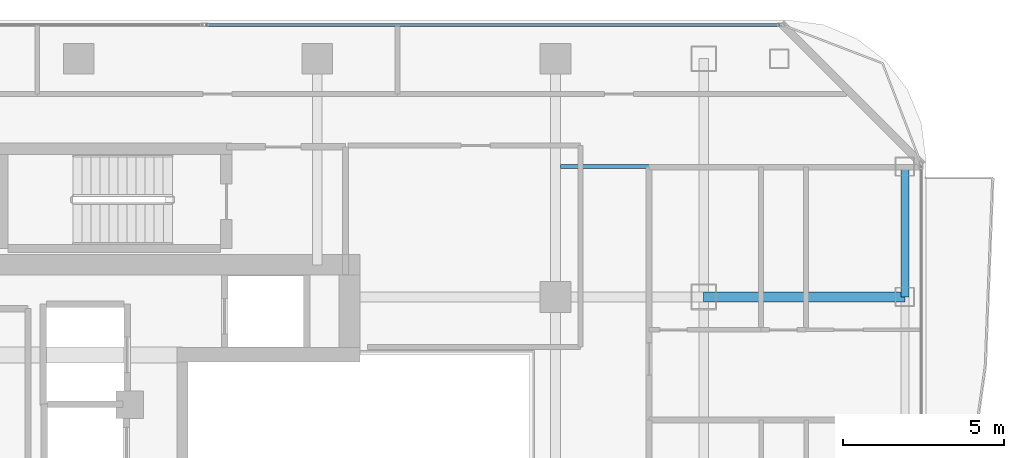
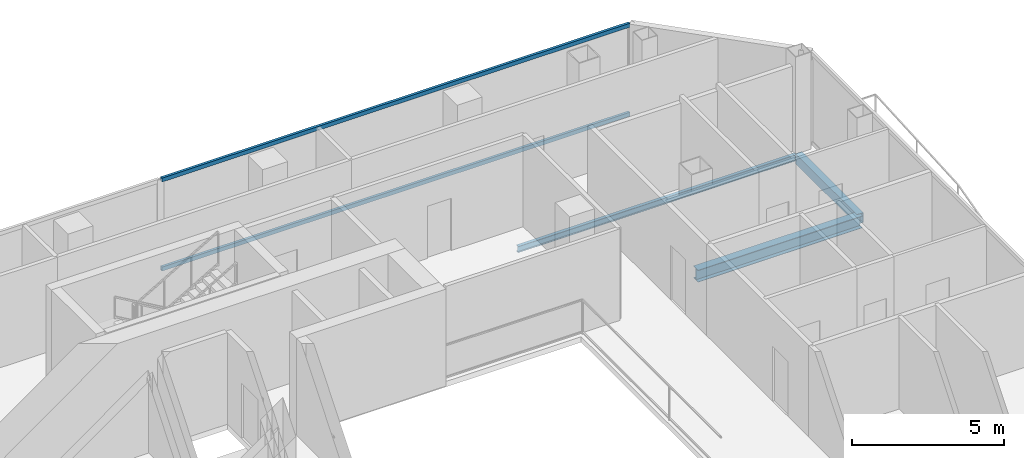
# One storey, part 16 of 27: 3 beams, 2 members, 1 element without a shape of its own.
"""IFC4 building model written with IfcOpenShell, lengths in metres."""

from ifc_helpers import new_model, si_unit, direction, frame, origin, origin_2d, place, context, subcontext, project, spatial, hollow_rectangle, i_section, extrude, material, layer, layer_set, material_profile, profile_set, type_object, element, aggregate, save


model = new_model("IFC4")

# Units and contexts
model_context = context("Model", 3, precision=1e-05, world=origin(), true_north=direction((0.0, 1.0)))
body_context = subcontext(model_context, "Body", "Model", "MODEL_VIEW")
ifc_project = project(units=[si_unit("LENGTHUNIT", "METRE"), si_unit("AREAUNIT", "SQUARE_METRE"), si_unit("VOLUMEUNIT", "CUBIC_METRE"), si_unit("PLANEANGLEUNIT", "RADIAN"), si_unit("MASSUNIT", "GRAM", prefix="KILO")], contexts=[model_context])

# Site, building, storey
site_placement = place(None, origin())
site = spatial("IfcSite", under=ifc_project, at=site_placement, CompositionType="ELEMENT")
building_placement = place(site_placement, origin())
building = spatial("IfcBuilding", under=site, at=building_placement, Name="Khorvyn Point Tower", CompositionType="ELEMENT")
storey_placement = place(building_placement, frame((0.0, 0.0, 243.0)))
storey = spatial("IfcBuildingStorey", under=building, at=storey_placement, Name="L59", CompositionType="ELEMENT", Elevation=243.0)

# Curtain wall, members
ifc_material_1 = material(Name="Anodised aluminium 6063-T6 and laminated Low-E glass", Category="aluminium")
ifc_layer = layer(ifc_material_1, 0.18994140625)
ifc_layer_set = layer_set([ifc_layer], Name="Stick-Built Acoustic Curtain Wall CW-SYS-03")
curtain_wall_type = type_object("IfcCurtainWallType", Name="Stick-Built Acoustic Curtain Wall CW-SYS-03", PredefinedType="NOTDEFINED", material=ifc_layer_set)
curtain_wall_placement = place(storey_placement, origin())
curtain_wall = element("IfcCurtainWall", 1, at=curtain_wall_placement, inside=storey, type_object=curtain_wall_type, Name="Curtain Wall", PredefinedType="NOTDEFINED")
ifc_material_2 = material(Name="Anodised aluminium 6063-T6", Category="aluminium")
ifc_material_profile_1 = material_profile(ifc_material_2, hollow_rectangle(XDim=0.10009765625, YDim=0.159912109375, WallThickness=0.00439453125, at=origin_2d()))
ifc_profile_set_1 = profile_set([ifc_material_profile_1], Name="Anodised aluminium 6063-T6 ALU-TRN-100x160")
member_type = type_object("IfcMemberType", Name="Anodised Aluminium 6063-T6 Transom ALU-TRN-100x160", PredefinedType="USERDEFINED", material=ifc_profile_set_1)
member_1_placement = place(storey_placement, frame((3.949951171875, 15.85009765625, 0.050048828125), z_axis=(1.0, 0.0, 0.0), x_axis=(0.0, 1.0, 0.0)))
member_1 = element("IfcMember", 2, at=member_1_placement, type_object=member_type, Name="Transom", ObjectType="TRANSOM", PredefinedType="USERDEFINED", context=body_context, shape_type="SweptSolid", body=[
    extrude(hollow_rectangle(XDim=0.10009765625, YDim=0.159912109375, WallThickness=0.00439453125, at=origin_2d()), origin(), (0.0, 0.0, 1.0), 17.800048828125),
])
member_2_placement = place(storey_placement, frame((3.949951171875, 15.85009765625, 3.6298828125), z_axis=(1.0, 0.0, 0.0), x_axis=(0.0, 1.0, 0.0)))
member_2 = element("IfcMember", 3, at=member_2_placement, type_object=member_type, Name="Transom", ObjectType="TRANSOM", PredefinedType="USERDEFINED", context=body_context, shape_type="SweptSolid", body=[
    extrude(hollow_rectangle(XDim=0.10009765625, YDim=0.159912109375, WallThickness=0.00439453125, at=origin_2d()), origin(), (0.0, 0.0, 1.0), 17.800048828125),
])
aggregate(curtain_wall, [member_1, member_2])

# Beams
ifc_material_3 = material(Name="Steel S355", Category="steel")
ifc_material_profile_2 = material_profile(ifc_material_3, i_section(OverallWidth=0.125, OverallDepth=0.25, WebThickness=0.006103515625, FlangeThickness=0.009033203125, at=origin_2d()))
ifc_profile_set_2 = profile_set([ifc_material_profile_2], Name="Steel S355 H250x125x6x9")
beam_type_1 = type_object("IfcBeamType", Name="Steel S355 Joist H250x125x6x9", PredefinedType="JOIST", material=ifc_profile_set_2)
beam_1_placement = place(storey_placement, frame((14.949951171875, 11.449951171875, -0.344970703125), z_axis=(1.0, 0.0, 0.0), x_axis=(0.0, 1.0, 0.0)))
element("IfcBeam", 4, at=beam_1_placement, inside=storey, type_object=beam_type_1, Name="Beam", PredefinedType="JOIST", context=body_context, shape_type="SweptSolid", body=[
    extrude(i_section(OverallWidth=0.125, OverallDepth=0.25, WebThickness=0.006103515625, FlangeThickness=0.009033203125, at=origin_2d()), origin(), (0.0, 0.0, 1.0), 10.574951171875),
])
ifc_material_profile_3 = material_profile(ifc_material_3, i_section(OverallWidth=0.300048828125, OverallDepth=0.488037109375, WebThickness=0.010986328125, FlangeThickness=0.01806640625, at=origin_2d()))
ifc_profile_set_3 = profile_set([ifc_material_profile_3], Name="Steel S355 H488x300x11x18")
beam_type_2 = type_object("IfcBeamType", Name="Steel S355 Spandrel H488x300x11x18", PredefinedType="SPANDREL", material=ifc_profile_set_3)
beam_2_placement = place(storey_placement, frame((19.39990234375, 7.39990234375, -0.464111328125), z_axis=(1.0, 0.0, 0.0), x_axis=(0.0, 1.0, 0.0)))
element("IfcBeam", 5, at=beam_2_placement, inside=storey, type_object=beam_type_2, Name="Beam", PredefinedType="SPANDREL", context=body_context, shape_type="SweptSolid", body=[
    extrude(i_section(OverallWidth=0.300048828125, OverallDepth=0.488037109375, WebThickness=0.010986328125, FlangeThickness=0.01806640625, at=origin_2d()), origin(), (0.0, 0.0, 1.0), 6.25),
])
ifc_material_profile_4 = material_profile(ifc_material_3, hollow_rectangle(XDim=0.25, YDim=0.39990234375, WallThickness=0.01611328125, at=origin_2d()))
ifc_profile_set_4 = profile_set([ifc_material_profile_4], Name="Steel S355 RHS400x250x16")
beam_type_3 = type_object("IfcBeamType", Name="Steel S355 Spandrel RHS400x250x16", PredefinedType="SPANDREL", material=ifc_profile_set_4)
beam_3_placement = place(storey_placement, frame((25.64990234375, 7.39990234375, -0.419921875), z_axis=(0.0, 1.0, 0.0), x_axis=(-1.0, 0.0, 0.0)))
element("IfcBeam", 6, at=beam_3_placement, inside=storey, type_object=beam_type_3, Name="Beam", PredefinedType="SPANDREL", context=body_context, shape_type="SweptSolid", body=[
    extrude(hollow_rectangle(XDim=0.25, YDim=0.39990234375, WallThickness=0.01611328125, at=origin_2d()), origin(), (0.0, 0.0, 1.0), 4.050048828125),
])

save(model, "model.ifc")
